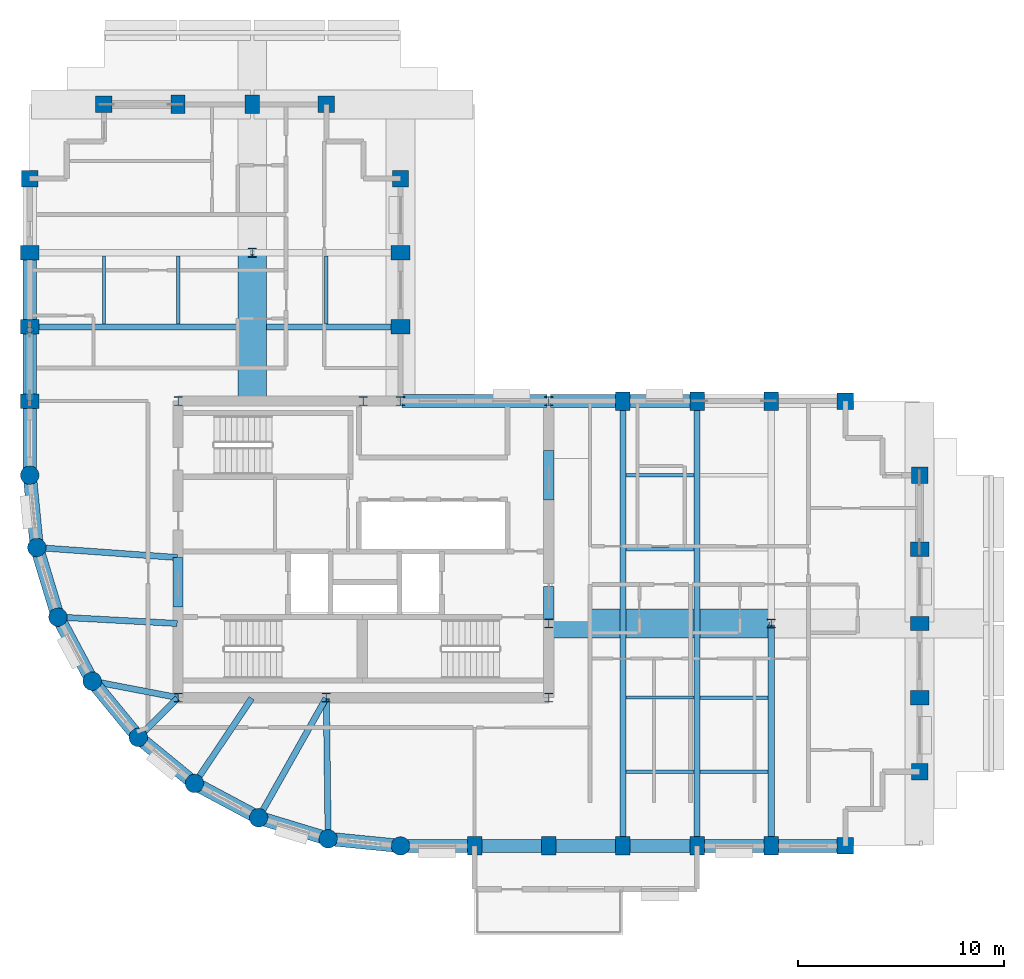
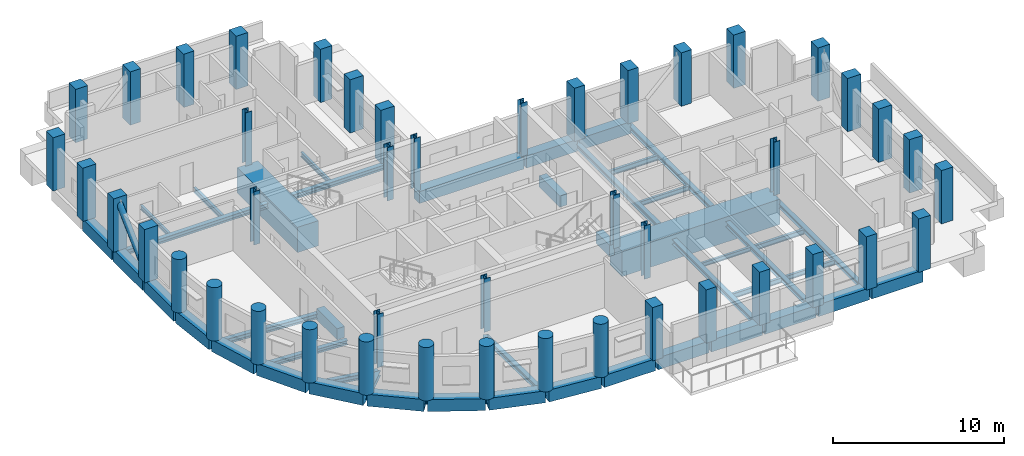
# One storey, part 1 of 10: 45 beams, 45 columns, 1 member.
"""IFC4 building model written with IfcOpenShell, lengths in metres."""

from ifc_helpers import new_model, si_unit, direction, frame, origin, origin_2d, place, context, subcontext, project, spatial, rectangle, circle, hollow_circle, i_section, extrude, material, material_profile, profile_set, type_object, element, save


model = new_model("IFC4")

# Units and contexts
model_context = context("Model", 3, precision=1e-05, world=origin(), true_north=direction((0.0, 1.0)))
body_context = subcontext(model_context, "Body", "Model", "MODEL_VIEW")
ifc_project = project(units=[si_unit("LENGTHUNIT", "METRE"), si_unit("AREAUNIT", "SQUARE_METRE"), si_unit("VOLUMEUNIT", "CUBIC_METRE"), si_unit("PLANEANGLEUNIT", "RADIAN"), si_unit("MASSUNIT", "GRAM", prefix="KILO")], contexts=[model_context])

# Site, building, storey
site_placement = place(None, origin())
site = spatial("IfcSite", under=ifc_project, at=site_placement, CompositionType="ELEMENT")
building_placement = place(site_placement, origin())
building = spatial("IfcBuilding", under=site, at=building_placement, Name="Solnavia Interchange Tower", CompositionType="ELEMENT")
storey_placement = place(building_placement, frame((0.0, 0.0, 174.800048828125)))
storey = spatial("IfcBuildingStorey", under=building, at=storey_placement, Name="L43", CompositionType="ELEMENT", Elevation=174.800048828125)

# Columns
ifc_material_1 = material(Name="Concrete C50/60", Category="concrete")
ifc_material_profile_1 = material_profile(ifc_material_1, rectangle(XDim=0.800048828125, YDim=0.800048828125, at=origin_2d()), Name="RC 800x800")
ifc_profile_set_1 = profile_set([ifc_material_profile_1], Name="Concrete C50/60")
column_type_1 = type_object("IfcColumnType", Name="Col-RC-800x800", PredefinedType="COLUMN", material=ifc_profile_set_1)
for number, where, z_axis, x_axis, name in (
    (1, (7.199951171875, 36.0, 0.0), (0.0, 0.0, 1.0), (0.0, 1.0, 0.0), "COL-L43-05 Tower corner column"),
    (2, (10.800048828125, 39.60009765625, 0.0), (0.0, 0.0, 1.0), (1.0, 0.0, 0.0), "COL-L43-09 Tower corner column"),
    (3, (21.60009765625, 39.60009765625, 0.0), (0.0, 0.0, 1.0), (1.0, 0.0, 0.0), "COL-L43-19 Tower corner column"),
    (4, (25.199951171875, 36.0, 0.0), (0.0, 0.0, 1.0), (0.0, 1.0, 0.0), "COL-L43-26 Tower corner column"),
    (5, (46.800048828125, 3.60009765625, 0.0), (0.0, 0.0, 1.0), (1.0, 0.0, 0.0), "COL-L43-39 Tower corner column"),
    (6, (46.800048828125, 25.199951171875, 0.0), (0.0, 0.0, 1.0), (1.0, 0.0, 0.0), "COL-L43-40 Tower corner column"),
    (7, (50.39990234375, 7.199951171875, 0.0), (0.0, 0.0, 1.0), (1.0, 0.0, 0.0), "COL-L43-41 Tower corner column"),
    (8, (50.39990234375, 21.60009765625, 0.0), (0.0, 0.0, 1.0), (0.0, 1.0, 0.0), "COL-L43-45 Tower corner column"),
):
    element("IfcColumn", number, at=place(storey_placement, frame(where, z_axis=z_axis, x_axis=x_axis)), inside=storey, type_object=column_type_1, Name=name, PredefinedType="COLUMN", context=body_context, shape_type="SweptSolid", body=[
        extrude(rectangle(XDim=0.800048828125, YDim=0.800048828125, at=origin_2d()), origin(), (0.0, 0.0, 1.0), 3.800048828125),
    ])
ifc_material_profile_2 = material_profile(ifc_material_1, rectangle(XDim=0.699951171875, YDim=0.89990234375, at=origin_2d()), Name="RC 900x700")
ifc_profile_set_2 = profile_set([ifc_material_profile_2], Name="Concrete C50/60")
column_type_2 = type_object("IfcColumnType", Name="Col-RC-900x700", PredefinedType="COLUMN", material=ifc_profile_set_2)
for number, where, z_axis, x_axis, name in (
    (9, (7.199951171875, 25.199951171875, 0.0), (0.0, 0.0, 1.0), (0.0, 1.0, 0.0), "COL-L43-02 Tower perim y column"),
    (10, (7.199951171875, 28.800048828125, 0.0), (0.0, 0.0, 1.0), (0.0, 1.0, 0.0), "COL-L43-03 Tower perim y column"),
    (11, (7.199951171875, 32.39990234375, 0.0), (0.0, 0.0, 1.0), (0.0, 1.0, 0.0), "COL-L43-04 Tower perim y column"),
    (12, (14.39990234375, 39.60009765625, 0.0), (0.0, 0.0, 1.0), (1.0, 0.0, 0.0), "COL-L43-13 Tower perim x column"),
    (13, (18.0, 39.60009765625, 0.0), (0.0, 0.0, 1.0), (1.0, 0.0, 0.0), "COL-L43-16 Tower perim x column"),
    (14, (25.199951171875, 28.800048828125, 0.0), (0.0, 0.0, 1.0), (0.0, 1.0, 0.0), "COL-L43-24 Tower perim y column"),
    (15, (25.199951171875, 32.39990234375, 0.0), (0.0, 0.0, 1.0), (0.0, 1.0, 0.0), "COL-L43-25 Tower perim y column"),
    (16, (28.800048828125, 3.60009765625, 0.0), (0.0, 0.0, 1.0), (1.0, 0.0, 0.0), "COL-L43-27 Tower perim x column"),
    (17, (32.39990234375, 3.60009765625, 0.0), (0.0, 0.0, 1.0), (1.0, 0.0, 0.0), "COL-L43-28 Tower perim x column"),
    (18, (36.0, 3.60009765625, 0.0), (0.0, 0.0, 1.0), (1.0, 0.0, 0.0), "COL-L43-32 Tower perim x column"),
    (19, (36.0, 25.199951171875, 0.0), (0.0, 0.0, 1.0), (1.0, 0.0, 0.0), "COL-L43-33 Tower perim x column"),
    (20, (39.60009765625, 3.60009765625, 0.0), (0.0, 0.0, 1.0), (1.0, 0.0, 0.0), "COL-L43-34 Tower perim x column"),
    (21, (39.60009765625, 25.199951171875, 0.0), (0.0, 0.0, 1.0), (1.0, 0.0, 0.0), "COL-L43-35 Tower perim x column"),
    (22, (43.199951171875, 3.60009765625, 0.0), (0.0, 0.0, 1.0), (1.0, 0.0, 0.0), "COL-L43-36 Tower perim x column"),
    (23, (43.199951171875, 25.199951171875, 0.0), (0.0, 0.0, 1.0), (1.0, 0.0, 0.0), "COL-L43-38 Tower perim x column"),
    (24, (50.39990234375, 10.800048828125, 0.0), (0.0, 0.0, 1.0), (0.0, 1.0, 0.0), "COL-L43-42 Tower perim y column"),
    (25, (50.39990234375, 14.39990234375, 0.0), (0.0, 0.0, 1.0), (0.0, 1.0, 0.0), "COL-L43-43 Tower perim y column"),
    (26, (50.39990234375, 18.0, 0.0), (0.0, 0.0, 1.0), (0.0, 1.0, 0.0), "COL-L43-44 Tower perim y column"),
):
    element("IfcColumn", number, at=place(storey_placement, frame(where, z_axis=z_axis, x_axis=x_axis)), inside=storey, type_object=column_type_2, Name=name, PredefinedType="COLUMN", context=body_context, shape_type="SweptSolid", body=[
        extrude(rectangle(XDim=0.699951171875, YDim=0.89990234375, at=origin_2d()), origin(), (0.0, 0.0, 1.0), 3.800048828125),
    ])
ifc_material_profile_3 = material_profile(ifc_material_1, circle(Radius=0.449951171875, at=origin_2d()), Name="RC D900")
ifc_profile_set_3 = profile_set([ifc_material_profile_3], Name="Concrete C50/60")
column_type_3 = type_object("IfcColumnType", Name="Col-RC-D900", PredefinedType="COLUMN", material=ifc_profile_set_3)
for number, where, z_axis, x_axis, name in (
    (27, (7.199951171875, 21.60009765625, 0.0), (0.0, 0.0, 1.0), (1.0, 0.0, 0.0), "COL-L43-01 Tower drum column"),
    (28, (7.5458984375, 18.087890625, 0.0), (0.0, 0.0, 1.0), (1.0, 0.0, 0.0), "COL-L43-06 Tower drum column"),
    (29, (8.570068359375, 14.7119140625, 0.0), (0.0, 0.0, 1.0), (1.0, 0.0, 0.0), "COL-L43-07 Tower drum column"),
    (30, (10.23388671875, 11.60009765625, 0.0), (0.0, 0.0, 1.0), (1.0, 0.0, 0.0), "COL-L43-08 Tower drum column"),
    (31, (12.471923828125, 8.8720703125, 0.0), (0.0, 0.0, 1.0), (1.0, 0.0, 0.0), "COL-L43-10 Tower drum column"),
    (32, (15.199951171875, 6.634033203125, 0.0), (0.0, 0.0, 1.0), (1.0, 0.0, 0.0), "COL-L43-14 Tower drum column"),
    (33, (18.31201171875, 4.969970703125, 0.0), (0.0, 0.0, 1.0), (1.0, 0.0, 0.0), "COL-L43-17 Tower drum column"),
    (34, (21.68798828125, 3.946044921875, 0.0), (0.0, 0.0, 1.0), (1.0, 0.0, 0.0), "COL-L43-20 Tower drum column"),
    (35, (25.199951171875, 3.60009765625, 0.0), (0.0, 0.0, 1.0), (1.0, 0.0, 0.0), "COL-L43-22 Tower drum column"),
):
    element("IfcColumn", number, at=place(storey_placement, frame(where, z_axis=z_axis, x_axis=x_axis)), inside=storey, type_object=column_type_3, Name=name, PredefinedType="COLUMN", context=body_context, shape_type="SweptSolid", body=[
        extrude(circle(Radius=0.449951171875, at=origin_2d()), origin(), (0.0, 0.0, 1.0), 3.800048828125),
    ])
ifc_material_2 = material(Name="Steel S355", Category="steel")
ifc_material_profile_4 = material_profile(ifc_material_2, i_section(OverallWidth=0.416015625, OverallDepth=0.44189453125, WebThickness=0.02490234375, FlangeThickness=0.041015625, FilletRadius=0.014892578125, at=origin_2d()), Name="HD 400x382")
ifc_profile_set_4 = profile_set([ifc_material_profile_4], Name="Steel S355")
column_type_4 = type_object("IfcColumnType", Name="Col-Steel-HD400x382", PredefinedType="COLUMN", material=ifc_profile_set_4)
for number, where, z_axis, x_axis, name in (
    (36, (14.39990234375, 10.800048828125, 0.0), (0.0, 0.0, 1.0), (1.0, 0.0, 0.0), "COL-L43-11 Tower interior column"),
    (37, (14.39990234375, 25.199951171875, 0.0), (0.0, 0.0, 1.0), (1.0, 0.0, 0.0), "COL-L43-12 Tower interior column"),
    (38, (18.0, 32.39990234375, 0.0), (0.0, 0.0, 1.0), (1.0, 0.0, 0.0), "COL-L43-15 Tower interior column"),
    (39, (21.60009765625, 10.800048828125, 0.0), (0.0, 0.0, 1.0), (1.0, 0.0, 0.0), "COL-L43-18 Tower interior column"),
    (40, (23.39990234375, 25.199951171875, 0.0), (0.0, 0.0, 1.0), (1.0, 0.0, 0.0), "COL-L43-21 Tower interior column"),
    (41, (25.199951171875, 25.199951171875, 0.0), (0.0, 0.0, 1.0), (1.0, 0.0, 0.0), "COL-L43-23 Tower interior column"),
    (42, (32.39990234375, 10.800048828125, 0.0), (0.0, 0.0, 1.0), (1.0, 0.0, 0.0), "COL-L43-29 Tower interior column"),
    (43, (32.39990234375, 14.39990234375, 0.0), (0.0, 0.0, 1.0), (1.0, 0.0, 0.0), "COL-L43-30 Tower interior column"),
    (44, (32.39990234375, 25.199951171875, 0.0), (0.0, 0.0, 1.0), (1.0, 0.0, 0.0), "COL-L43-31 Tower interior column"),
    (45, (43.199951171875, 14.39990234375, 0.0), (0.0, 0.0, 1.0), (1.0, 0.0, 0.0), "COL-L43-37 Tower interior column"),
):
    element("IfcColumn", number, at=place(storey_placement, frame(where, z_axis=z_axis, x_axis=x_axis)), inside=storey, type_object=column_type_4, Name=name, PredefinedType="COLUMN", context=body_context, shape_type="SweptSolid", body=[
        extrude(i_section(OverallWidth=0.416015625, OverallDepth=0.44189453125, WebThickness=0.02490234375, FlangeThickness=0.041015625, FilletRadius=0.014892578125, at=origin_2d()), origin(), (0.0, 0.0, 1.0), 3.800048828125),
    ])

# Beams
ifc_material_profile_5 = material_profile(ifc_material_1, rectangle(XDim=0.5, YDim=0.800048828125, at=origin_2d()), Name="RC 500x800")
ifc_profile_set_5 = profile_set([ifc_material_profile_5], Name="Concrete C50/60")
beam_type_1 = type_object("IfcBeamType", Name="Beam-Coupling-RC500x800", PredefinedType="LINTEL", material=ifc_profile_set_5)
beam_1_placement = place(storey_placement, frame((14.39990234375, 15.199951171875, -0.400146484375), z_axis=(0.0, 1.0, 0.0), x_axis=(-1.0, 0.0, 0.0)))
element("IfcBeam", 46, at=beam_1_placement, inside=storey, type_object=beam_type_1, Name="CPB-L43-W1 Core coupling lintel beam", PredefinedType="LINTEL", context=body_context, shape_type="SweptSolid", body=[
    extrude(rectangle(XDim=0.5, YDim=0.800048828125, at=origin_2d()), origin(), (0.0, 0.0, 1.0), 2.400146484375),
])
beam_2_placement = place(storey_placement, frame((32.39990234375, 14.60009765625, -0.400146484375), z_axis=(0.0, 1.0, 0.0), x_axis=(-1.0, 0.0, 0.0)))
element("IfcBeam", 47, at=beam_2_placement, inside=storey, type_object=beam_type_1, Name="CPB-L43-E1 Core coupling lintel beam", PredefinedType="LINTEL", context=body_context, shape_type="SweptSolid", body=[
    extrude(rectangle(XDim=0.5, YDim=0.800048828125, at=origin_2d()), origin(), (0.0, 0.0, 1.0), 1.599853515625),
])
beam_3_placement = place(storey_placement, frame((32.39990234375, 20.39990234375, -0.400146484375), z_axis=(0.0, 1.0, 0.0), x_axis=(-1.0, 0.0, 0.0)))
element("IfcBeam", 48, at=beam_3_placement, inside=storey, type_object=beam_type_1, Name="CPB-L43-E2 Core coupling lintel beam", PredefinedType="LINTEL", context=body_context, shape_type="SweptSolid", body=[
    extrude(rectangle(XDim=0.5, YDim=0.800048828125, at=origin_2d()), origin(), (0.0, 0.0, 1.0), 2.400146484375),
])
ifc_material_3 = material(Name="Steel S460", Category="steel")
ifc_material_profile_6 = material_profile(ifc_material_3, i_section(OverallWidth=0.300048828125, OverallDepth=0.360107421875, WebThickness=0.012451171875, FlangeThickness=0.0224609375, FilletRadius=0.027099609375, at=origin_2d()), Name="HEB 360")
ifc_profile_set_6 = profile_set([ifc_material_profile_6], Name="Steel S460")
beam_type_2 = type_object("IfcBeamType", Name="Beam-Girder-HEB360", PredefinedType="BEAM", material=ifc_profile_set_6)
beam_4_placement = place(storey_placement, frame((36.0, 3.679931640625, -0.5), z_axis=(0.0, 1.0, 0.0), x_axis=(-1.0, 0.0, 0.0)))
element("IfcBeam", 49, at=beam_4_placement, inside=storey, type_object=beam_type_2, Name="GRD-L43-EW01 East wing primary floor girder", PredefinedType="BEAM", context=body_context, shape_type="SweptSolid", body=[
    extrude(i_section(OverallWidth=0.300048828125, OverallDepth=0.360107421875, WebThickness=0.012451171875, FlangeThickness=0.0224609375, FilletRadius=0.027099609375, at=origin_2d()), origin(), (0.0, 0.0, 1.0), 21.440185546875),
])
beam_5_placement = place(storey_placement, frame((10.3125, 11.5849609375, -0.5), z_axis=(0.982057527796, -0.188581579428, 0.0), x_axis=(0.188581579428, 0.982057527796, 0.0)))
element("IfcBeam", 50, at=beam_5_placement, inside=storey, type_object=beam_type_2, Name="GRD-L43-DR10 Drum radial floor girder", PredefinedType="BEAM", context=body_context, shape_type="SweptSolid", body=[
    extrude(i_section(OverallWidth=0.300048828125, OverallDepth=0.360107421875, WebThickness=0.012451171875, FlangeThickness=0.0224609375, FilletRadius=0.027099609375, at=origin_2d()), origin(), (0.0, 0.0, 1.0), 4.1220703125),
])
beam_6_placement = place(storey_placement, frame((18.351318359375, 5.039794921875, -0.5), z_axis=(0.491243158486, 0.871022479182, 0.0), x_axis=(-0.871022479182, 0.491243158486, 0.0)))
element("IfcBeam", 51, at=beam_6_placement, inside=storey, type_object=beam_type_2, Name="GRD-L43-DR13 Drum radial floor girder", PredefinedType="BEAM", context=body_context, shape_type="SweptSolid", body=[
    extrude(i_section(OverallWidth=0.300048828125, OverallDepth=0.360107421875, WebThickness=0.012451171875, FlangeThickness=0.0224609375, FilletRadius=0.027099609375, at=origin_2d()), origin(), (0.0, 0.0, 1.0), 6.5732421875),
])
ifc_material_profile_7 = material_profile(ifc_material_2, i_section(OverallWidth=0.14990234375, OverallDepth=0.300048828125, WebThickness=0.007080078125, FlangeThickness=0.0107421875, FilletRadius=0.014892578125, at=origin_2d()), Name="IPE 300")
ifc_profile_set_7 = profile_set([ifc_material_profile_7], Name="Steel S355")
beam_type_3 = type_object("IfcBeamType", Name="Beam-Joist-IPE300", PredefinedType="JOIST", material=ifc_profile_set_7)
for number, where, z_axis, x_axis, name in (
    (52, (36.14990234375, 10.800048828125, -0.469970703125), (1.0, 0.0, 0.0), (0.0, 1.0, 0.0), "JST-L43-E03 East wing secondary joist"),
    (53, (10.800048828125, 28.949951171875, -0.469970703125), (0.0, 1.0, 0.0), (-1.0, 0.0, 0.0), "JST-L43-N09 North wing secondary joist"),
):
    element("IfcBeam", number, at=place(storey_placement, frame(where, z_axis=z_axis, x_axis=x_axis)), inside=storey, type_object=beam_type_3, Name=name, PredefinedType="JOIST", context=body_context, shape_type="SweptSolid", body=[
        extrude(i_section(OverallWidth=0.14990234375, OverallDepth=0.300048828125, WebThickness=0.007080078125, FlangeThickness=0.0107421875, FilletRadius=0.014892578125, at=origin_2d()), origin(), (0.0, 0.0, 1.0), 3.300048828125),
    ])
ifc_material_profile_8 = material_profile(ifc_material_2, i_section(OverallWidth=0.159912109375, OverallDepth=0.330078125, WebThickness=0.007568359375, FlangeThickness=0.011474609375, FilletRadius=0.01806640625, at=origin_2d()), Name="IPE 330")
ifc_profile_set_8 = profile_set([ifc_material_profile_8], Name="Steel S355")
beam_type_4 = type_object("IfcBeamType", Name="Beam-Joist-IPE330", PredefinedType="JOIST", material=ifc_profile_set_8)
for number, where, z_axis, x_axis, name in (
    (54, (39.75, 7.199951171875, -0.485107421875), (1.0, 0.0, 0.0), (0.0, 1.0, 0.0), "JST-L43-E02 East wing secondary joist"),
    (55, (36.14990234375, 18.0, -0.485107421875), (1.0, 0.0, 0.0), (0.0, 1.0, 0.0), "JST-L43-E05 East wing secondary joist"),
    (56, (21.60009765625, 28.949951171875, -0.485107421875), (0.0, 1.0, 0.0), (-1.0, 0.0, 0.0), "JST-L43-N11 North wing secondary joist"),
):
    element("IfcBeam", number, at=place(storey_placement, frame(where, z_axis=z_axis, x_axis=x_axis)), inside=storey, type_object=beam_type_4, Name=name, PredefinedType="JOIST", context=body_context, shape_type="SweptSolid", body=[
        extrude(i_section(OverallWidth=0.159912109375, OverallDepth=0.330078125, WebThickness=0.007568359375, FlangeThickness=0.011474609375, FilletRadius=0.01806640625, at=origin_2d()), origin(), (0.0, 0.0, 1.0), 3.300048828125),
    ])
ifc_material_profile_9 = material_profile(ifc_material_2, i_section(OverallWidth=0.169921875, OverallDepth=0.360107421875, WebThickness=0.008056640625, FlangeThickness=0.0126953125, FilletRadius=0.01806640625, at=origin_2d()), Name="IPE 360")
ifc_profile_set_9 = profile_set([ifc_material_profile_9], Name="Steel S355")
beam_type_5 = type_object("IfcBeamType", Name="Beam-Joist-IPE360", PredefinedType="JOIST", material=ifc_profile_set_9)
for number, where, z_axis, x_axis, name in (
    (57, (36.14990234375, 7.199951171875, -0.5), (1.0, 0.0, 0.0), (0.0, 1.0, 0.0), "JST-L43-E01 East wing secondary joist"),
    (58, (39.75, 10.800048828125, -0.5), (1.0, 0.0, 0.0), (0.0, 1.0, 0.0), "JST-L43-E04 East wing secondary joist"),
    (59, (36.14990234375, 21.60009765625, -0.5), (1.0, 0.0, 0.0), (0.0, 1.0, 0.0), "JST-L43-E07 East wing secondary joist"),
    (60, (14.39990234375, 28.949951171875, -0.5), (0.0, 1.0, 0.0), (-1.0, 0.0, 0.0), "JST-L43-N10 North wing secondary joist"),
):
    element("IfcBeam", number, at=place(storey_placement, frame(where, z_axis=z_axis, x_axis=x_axis)), inside=storey, type_object=beam_type_5, Name=name, PredefinedType="JOIST", context=body_context, shape_type="SweptSolid", body=[
        extrude(i_section(OverallWidth=0.169921875, OverallDepth=0.360107421875, WebThickness=0.008056640625, FlangeThickness=0.0126953125, FilletRadius=0.01806640625, at=origin_2d()), origin(), (0.0, 0.0, 1.0), 3.300048828125),
    ])
ifc_material_profile_10 = material_profile(ifc_material_2, i_section(OverallWidth=0.300048828125, OverallDepth=0.31005859375, WebThickness=0.009033203125, FlangeThickness=0.015380859375, FilletRadius=0.027099609375, at=origin_2d()), Name="HEA 320")
ifc_profile_set_10 = profile_set([ifc_material_profile_10], Name="Steel S355")
beam_type_6 = type_object("IfcBeamType", Name="Beam-Primary-HEA320", PredefinedType="BEAM", material=ifc_profile_set_10)
beam_7_placement = place(storey_placement, frame((43.199951171875, 3.679931640625, -0.47509765625), z_axis=(0.0, 1.0, 0.0), x_axis=(-1.0, 0.0, 0.0)))
element("IfcBeam", 61, at=beam_7_placement, inside=storey, type_object=beam_type_6, Name="GRD-L43-EW03 East wing primary floor girder", PredefinedType="BEAM", context=body_context, shape_type="SweptSolid", body=[
    extrude(i_section(OverallWidth=0.300048828125, OverallDepth=0.31005859375, WebThickness=0.009033203125, FlangeThickness=0.015380859375, FilletRadius=0.027099609375, at=origin_2d()), origin(), (0.0, 0.0, 1.0), 10.64013671875),
])
beam_8_placement = place(storey_placement, frame((8.64990234375, 14.707763671875, -0.47509765625), z_axis=(0.998570371303, -0.053452909696, 0.0), x_axis=(0.053452909696, 0.998570371303, 0.0)))
element("IfcBeam", 62, at=beam_8_placement, inside=storey, type_object=beam_type_6, Name="GRD-L43-DR09 Drum radial floor girder", PredefinedType="BEAM", context=body_context, shape_type="SweptSolid", body=[
    extrude(i_section(OverallWidth=0.300048828125, OverallDepth=0.31005859375, WebThickness=0.009033203125, FlangeThickness=0.015380859375, FilletRadius=0.027099609375, at=origin_2d()), origin(), (0.0, 0.0, 1.0), 5.71826171875),
])
beam_9_placement = place(storey_placement, frame((15.24462890625, 6.700439453125, -0.47509765625), z_axis=(0.557835474219, 0.829951555033, 0.0), x_axis=(-0.829951555033, 0.557835474219, 0.0)))
element("IfcBeam", 63, at=beam_9_placement, inside=storey, type_object=beam_type_6, Name="GRD-L43-DR12 Drum radial floor girder", PredefinedType="BEAM", context=body_context, shape_type="SweptSolid", body=[
    extrude(i_section(OverallWidth=0.300048828125, OverallDepth=0.31005859375, WebThickness=0.009033203125, FlangeThickness=0.015380859375, FilletRadius=0.027099609375, at=origin_2d()), origin(), (0.0, 0.0, 1.0), 4.899658203125),
])
ifc_material_profile_11 = material_profile(ifc_material_2, i_section(OverallWidth=0.300048828125, OverallDepth=0.35009765625, WebThickness=0.010009765625, FlangeThickness=0.017578125, FilletRadius=0.027099609375, at=origin_2d()), Name="HEA 360")
ifc_profile_set_11 = profile_set([ifc_material_profile_11], Name="Steel S355")
beam_type_7 = type_object("IfcBeamType", Name="Beam-Primary-HEA360", PredefinedType="BEAM", material=ifc_profile_set_11)
beam_10_placement = place(storey_placement, frame((39.60009765625, 3.679931640625, -0.4951171875), z_axis=(0.0, 1.0, 0.0), x_axis=(-1.0, 0.0, 0.0)))
element("IfcBeam", 64, at=beam_10_placement, inside=storey, type_object=beam_type_7, Name="GRD-L43-EW02 East wing primary floor girder", PredefinedType="BEAM", context=body_context, shape_type="SweptSolid", body=[
    extrude(i_section(OverallWidth=0.300048828125, OverallDepth=0.35009765625, WebThickness=0.010009765625, FlangeThickness=0.017578125, FilletRadius=0.027099609375, at=origin_2d()), origin(), (0.0, 0.0, 1.0), 21.440185546875),
])
beam_11_placement = place(storey_placement, frame((7.280029296875, 28.800048828125, -0.4951171875), z_axis=(1.0, 0.0, 0.0), x_axis=(0.0, 1.0, 0.0)))
element("IfcBeam", 65, at=beam_11_placement, inside=storey, type_object=beam_type_7, Name="GRD-L43-NW05 North wing primary floor girder", PredefinedType="BEAM", context=body_context, shape_type="SweptSolid", body=[
    extrude(i_section(OverallWidth=0.300048828125, OverallDepth=0.35009765625, WebThickness=0.010009765625, FlangeThickness=0.017578125, FilletRadius=0.027099609375, at=origin_2d()), origin(), (0.0, 0.0, 1.0), 17.840087890625),
])
beam_12_placement = place(storey_placement, frame((7.625732421875, 18.082275390625, -0.4951171875), z_axis=(0.99747482749, -0.071020902015, 0.0), x_axis=(0.071020902015, 0.99747482749, 0.0)))
element("IfcBeam", 66, at=beam_12_placement, inside=storey, type_object=beam_type_7, Name="GRD-L43-DR08 Drum radial floor girder", PredefinedType="BEAM", context=body_context, shape_type="SweptSolid", body=[
    extrude(i_section(OverallWidth=0.300048828125, OverallDepth=0.35009765625, WebThickness=0.010009765625, FlangeThickness=0.017578125, FilletRadius=0.027099609375, at=origin_2d()), origin(), (0.0, 0.0, 1.0), 6.75146484375),
])
beam_13_placement = place(storey_placement, frame((12.528564453125, 8.9287109375, -0.4951171875), z_axis=(0.707106781187, 0.707106781187, 0.0), x_axis=(-0.707106781187, 0.707106781187, 0.0)))
element("IfcBeam", 67, at=beam_13_placement, inside=storey, type_object=beam_type_7, Name="GRD-L43-DR11 Drum radial floor girder", PredefinedType="BEAM", context=body_context, shape_type="SweptSolid", body=[
    extrude(i_section(OverallWidth=0.300048828125, OverallDepth=0.35009765625, WebThickness=0.010009765625, FlangeThickness=0.017578125, FilletRadius=0.027099609375, at=origin_2d()), origin(), (0.0, 0.0, 1.0), 2.6064453125),
])
beam_14_placement = place(storey_placement, frame((21.68701171875, 4.02587890625, -0.4951171875), z_axis=(-0.01283293513, 0.999917654498, 0.0), x_axis=(-0.999917654498, -0.01283293513, 0.0)))
element("IfcBeam", 68, at=beam_14_placement, inside=storey, type_object=beam_type_7, Name="GRD-L43-DR14 Drum radial floor girder", PredefinedType="BEAM", context=body_context, shape_type="SweptSolid", body=[
    extrude(i_section(OverallWidth=0.300048828125, OverallDepth=0.35009765625, WebThickness=0.010009765625, FlangeThickness=0.017578125, FilletRadius=0.027099609375, at=origin_2d()), origin(), (0.0, 0.0, 1.0), 6.734619140625),
])
ifc_material_profile_12 = material_profile(ifc_material_1, rectangle(XDim=0.64990234375, YDim=0.85009765625, at=origin_2d()), Name="RC 650x850")
ifc_profile_set_12 = profile_set([ifc_material_profile_12], Name="Concrete C50/60")
beam_type_8 = type_object("IfcBeamType", Name="Beam-Spandrel-RC650x850", PredefinedType="SPANDREL", material=ifc_profile_set_12)
beam_15_placement = place(storey_placement, frame((7.207763671875, 21.5205078125, -0.425048828125), z_axis=(0.098040038117, -0.995182471171, 0.0), x_axis=(0.995182471171, 0.098040038117, 0.0)))
element("IfcBeam", 69, at=beam_15_placement, inside=storey, type_object=beam_type_8, Name="SPB-L43-01 Framed-tube perimeter spandrel beam", PredefinedType="SPANDREL", context=body_context, shape_type="SweptSolid", body=[
    extrude(rectangle(XDim=0.64990234375, YDim=0.85009765625, at=origin_2d()), origin(), (0.0, 0.0, 1.0), 3.369140625),
])
beam_16_placement = place(storey_placement, frame((7.569091796875, 18.011474609375, -0.425048828125), z_axis=(0.290319223646, -0.956929855518, 0.0), x_axis=(0.956929855518, 0.290319223646, 0.0)))
element("IfcBeam", 70, at=beam_16_placement, inside=storey, type_object=beam_type_8, Name="SPB-L43-02 Framed-tube perimeter spandrel beam", PredefinedType="SPANDREL", context=body_context, shape_type="SweptSolid", body=[
    extrude(rectangle(XDim=0.64990234375, YDim=0.85009765625, at=origin_2d()), origin(), (0.0, 0.0, 1.0), 3.367919921875),
])
beam_17_placement = place(storey_placement, frame((8.607666015625, 14.6416015625, -0.425048828125), z_axis=(0.471509422952, -0.881861023102, 0.0), x_axis=(0.881861023102, 0.471509422952, 0.0)))
element("IfcBeam", 71, at=beam_17_placement, inside=storey, type_object=beam_type_8, Name="SPB-L43-03 Framed-tube perimeter spandrel beam", PredefinedType="SPANDREL", context=body_context, shape_type="SweptSolid", body=[
    extrude(rectangle(XDim=0.64990234375, YDim=0.85009765625, at=origin_2d()), origin(), (0.0, 0.0, 1.0), 3.369140625),
])
for number, where, z_axis, x_axis, name in (
    (72, (10.28466796875, 11.5380859375, -0.425048828125), (0.634298841675, -0.773087950656, 0.0), (0.773087950656, 0.634298841675, 0.0), "SPB-L43-04 Framed-tube perimeter spandrel beam"),
    (73, (12.53369140625, 8.8212890625, -0.425048828125), (0.773152644452, -0.634219984214, 0.0), (0.634219984214, 0.773152644452, 0.0), "SPB-L43-05 Framed-tube perimeter spandrel beam"),
):
    element("IfcBeam", number, at=place(storey_placement, frame(where, z_axis=z_axis, x_axis=x_axis)), inside=storey, type_object=beam_type_8, Name=name, PredefinedType="SPANDREL", context=body_context, shape_type="SweptSolid", body=[
        extrude(rectangle(XDim=0.64990234375, YDim=0.85009765625, at=origin_2d()), origin(), (0.0, 0.0, 1.0), 3.36865234375),
    ])
beam_18_placement = place(storey_placement, frame((15.2705078125, 6.59619140625, -0.425048828125), z_axis=(0.881875044348, -0.47148319817, 0.0), x_axis=(0.47148319817, 0.881875044348, 0.0)))
element("IfcBeam", 74, at=beam_18_placement, inside=storey, type_object=beam_type_8, Name="SPB-L43-06 Framed-tube perimeter spandrel beam", PredefinedType="SPANDREL", context=body_context, shape_type="SweptSolid", body=[
    extrude(rectangle(XDim=0.64990234375, YDim=0.85009765625, at=origin_2d()), origin(), (0.0, 0.0, 1.0), 3.368896484375),
])
beam_19_placement = place(storey_placement, frame((18.388671875, 4.94677734375, -0.425048828125), z_axis=(0.956943884494, -0.290272978297, 0.0), x_axis=(0.290272978297, 0.956943884494, 0.0)))
element("IfcBeam", 75, at=beam_19_placement, inside=storey, type_object=beam_type_8, Name="SPB-L43-07 Framed-tube perimeter spandrel beam", PredefinedType="SPANDREL", context=body_context, shape_type="SweptSolid", body=[
    extrude(rectangle(XDim=0.64990234375, YDim=0.85009765625, at=origin_2d()), origin(), (0.0, 0.0, 1.0), 3.36767578125),
])
beam_20_placement = place(storey_placement, frame((21.767578125, 3.938232421875, -0.425048828125), z_axis=(0.995181774609, -0.098047108501, 0.0), x_axis=(0.098047108501, 0.995181774609, 0.0)))
element("IfcBeam", 76, at=beam_20_placement, inside=storey, type_object=beam_type_8, Name="SPB-L43-08 Framed-tube perimeter spandrel beam", PredefinedType="SPANDREL", context=body_context, shape_type="SweptSolid", body=[
    extrude(rectangle(XDim=0.64990234375, YDim=0.85009765625, at=origin_2d()), origin(), (0.0, 0.0, 1.0), 3.368896484375),
])
beam_21_placement = place(storey_placement, frame((25.280029296875, 3.60009765625, -0.425048828125), z_axis=(1.0, 0.0, 0.0), x_axis=(0.0, 1.0, 0.0)))
element("IfcBeam", 77, at=beam_21_placement, inside=storey, type_object=beam_type_8, Name="SPB-L43-09 Framed-tube perimeter spandrel beam", PredefinedType="SPANDREL", context=body_context, shape_type="SweptSolid", body=[
    extrude(rectangle(XDim=0.64990234375, YDim=0.85009765625, at=origin_2d()), origin(), (0.0, 0.0, 1.0), 3.43994140625),
])
beam_22_placement = place(storey_placement, frame((28.8798828125, 3.60009765625, -0.425048828125), z_axis=(1.0, 0.0, 0.0), x_axis=(0.0, 1.0, 0.0)))
element("IfcBeam", 78, at=beam_22_placement, inside=storey, type_object=beam_type_8, Name="SPB-L43-10 Framed-tube perimeter spandrel beam", PredefinedType="SPANDREL", context=body_context, shape_type="SweptSolid", body=[
    extrude(rectangle(XDim=0.64990234375, YDim=0.85009765625, at=origin_2d()), origin(), (0.0, 0.0, 1.0), 3.440185546875),
])
for number, where, z_axis, x_axis, name in (
    (79, (32.47998046875, 3.60009765625, -0.425048828125), (1.0, 0.0, 0.0), (0.0, 1.0, 0.0), "SPB-L43-11 Framed-tube perimeter spandrel beam"),
    (80, (36.080078125, 3.60009765625, -0.425048828125), (1.0, 0.0, 0.0), (0.0, 1.0, 0.0), "SPB-L43-12 Framed-tube perimeter spandrel beam"),
):
    element("IfcBeam", number, at=place(storey_placement, frame(where, z_axis=z_axis, x_axis=x_axis)), inside=storey, type_object=beam_type_8, Name=name, PredefinedType="SPANDREL", context=body_context, shape_type="SweptSolid", body=[
        extrude(rectangle(XDim=0.64990234375, YDim=0.85009765625, at=origin_2d()), origin(), (0.0, 0.0, 1.0), 3.43994140625),
    ])
beam_23_placement = place(storey_placement, frame((39.679931640625, 3.60009765625, -0.425048828125), z_axis=(1.0, 0.0, 0.0), x_axis=(0.0, 1.0, 0.0)))
element("IfcBeam", 81, at=beam_23_placement, inside=storey, type_object=beam_type_8, Name="SPB-L43-13 Framed-tube perimeter spandrel beam", PredefinedType="SPANDREL", context=body_context, shape_type="SweptSolid", body=[
    extrude(rectangle(XDim=0.64990234375, YDim=0.85009765625, at=origin_2d()), origin(), (0.0, 0.0, 1.0), 3.440185546875),
])
for number, where, z_axis, x_axis, name in (
    (82, (43.280029296875, 3.60009765625, -0.425048828125), (1.0, 0.0, 0.0), (0.0, 1.0, 0.0), "SPB-L43-14 Framed-tube perimeter spandrel beam"),
    (83, (39.52001953125, 25.199951171875, -0.425048828125), (-1.0, 0.0, 0.0), (0.0, -1.0, 0.0), "SPB-L43-17 Framed-tube perimeter spandrel beam"),
    (84, (35.919921875, 25.199951171875, -0.425048828125), (-1.0, 0.0, 0.0), (0.0, -1.0, 0.0), "SPB-L43-18 Framed-tube perimeter spandrel beam"),
):
    element("IfcBeam", number, at=place(storey_placement, frame(where, z_axis=z_axis, x_axis=x_axis)), inside=storey, type_object=beam_type_8, Name=name, PredefinedType="SPANDREL", context=body_context, shape_type="SweptSolid", body=[
        extrude(rectangle(XDim=0.64990234375, YDim=0.85009765625, at=origin_2d()), origin(), (0.0, 0.0, 1.0), 3.43994140625),
    ])
beam_24_placement = place(storey_placement, frame((32.320068359375, 25.199951171875, -0.425048828125), z_axis=(-1.0, 0.0, 0.0), x_axis=(0.0, -1.0, 0.0)))
element("IfcBeam", 85, at=beam_24_placement, inside=storey, type_object=beam_type_8, Name="SPB-L43-19 Framed-tube perimeter spandrel beam", PredefinedType="SPANDREL", context=body_context, shape_type="SweptSolid", body=[
    extrude(rectangle(XDim=0.64990234375, YDim=0.85009765625, at=origin_2d()), origin(), (0.0, 0.0, 1.0), 7.0400390625),
])
beam_25_placement = place(storey_placement, frame((7.199951171875, 32.320068359375, -0.425048828125), z_axis=(0.0, -1.0, 0.0), x_axis=(1.0, 0.0, 0.0)))
element("IfcBeam", 86, at=beam_25_placement, inside=storey, type_object=beam_type_8, Name="SPB-L43-21 Framed-tube perimeter spandrel beam", PredefinedType="SPANDREL", context=body_context, shape_type="SweptSolid", body=[
    extrude(rectangle(XDim=0.64990234375, YDim=0.85009765625, at=origin_2d()), origin(), (0.0, 0.0, 1.0), 3.440185546875),
])
beam_26_placement = place(storey_placement, frame((7.199951171875, 28.719970703125, -0.425048828125), z_axis=(0.0, -1.0, 0.0), x_axis=(1.0, 0.0, 0.0)))
element("IfcBeam", 87, at=beam_26_placement, inside=storey, type_object=beam_type_8, Name="SPB-L43-22 Framed-tube perimeter spandrel beam", PredefinedType="SPANDREL", context=body_context, shape_type="SweptSolid", body=[
    extrude(rectangle(XDim=0.64990234375, YDim=0.85009765625, at=origin_2d()), origin(), (0.0, 0.0, 1.0), 3.43994140625),
])
beam_27_placement = place(storey_placement, frame((7.199951171875, 25.1201171875, -0.425048828125), z_axis=(0.0, -1.0, 0.0), x_axis=(1.0, 0.0, 0.0)))
element("IfcBeam", 88, at=beam_27_placement, inside=storey, type_object=beam_type_8, Name="SPB-L43-23 Framed-tube perimeter spandrel beam", PredefinedType="SPANDREL", context=body_context, shape_type="SweptSolid", body=[
    extrude(rectangle(XDim=0.64990234375, YDim=0.85009765625, at=origin_2d()), origin(), (0.0, 0.0, 1.0), 3.440185546875),
])
ifc_material_4 = material(Name="Concrete C60/75", Category="concrete")
ifc_material_profile_13 = material_profile(ifc_material_4, rectangle(XDim=1.39990234375, YDim=1.800048828125, at=origin_2d()), Name="RC 1400x1800")
ifc_profile_set_13 = profile_set([ifc_material_profile_13], Name="Concrete C60/75")
beam_type_9 = type_object("IfcBeamType", Name="Beam-Transfer-RC1400x1800", PredefinedType="BEAM", material=ifc_profile_set_13)
beam_28_placement = place(storey_placement, frame((32.47998046875, 14.39990234375, -0.900146484375), z_axis=(1.0, 0.0, 0.0), x_axis=(0.0, 1.0, 0.0)))
element("IfcBeam", 89, at=beam_28_placement, inside=storey, type_object=beam_type_9, Name="TRB-L43-01 East setback spine transfer girder", PredefinedType="BEAM", context=body_context, shape_type="SweptSolid", body=[
    extrude(rectangle(XDim=1.39990234375, YDim=1.800048828125, at=origin_2d()), origin(), (0.0, 0.0, 1.0), 10.64013671875),
])
beam_29_placement = place(storey_placement, frame((18.0, 25.280029296875, -0.900146484375), z_axis=(0.0, 1.0, 0.0), x_axis=(-1.0, 0.0, 0.0)))
element("IfcBeam", 90, at=beam_29_placement, inside=storey, type_object=beam_type_9, Name="TRB-L43-09 North setback spine transfer girder", PredefinedType="BEAM", context=body_context, shape_type="SweptSolid", body=[
    extrude(rectangle(XDim=1.39990234375, YDim=1.800048828125, at=origin_2d()), origin(), (0.0, 0.0, 1.0), 7.0400390625),
])

# Member
ifc_material_profile_14 = material_profile(ifc_material_3, hollow_circle(Radius=0.203125, WallThickness=0.02001953125, at=origin_2d()), Name="CHS 406.4x20")
ifc_profile_set_14 = profile_set([ifc_material_profile_14], Name="Steel S460")
member_type = type_object("IfcMemberType", Name="Brace-Perim-CHS406", PredefinedType="BRACE", material=ifc_profile_set_14)
member_placement = place(storey_placement, frame((7.199951171875, 25.340087890625, 0.179931640625), z_axis=(0.0, 0.721071463745, 0.69286069608), x_axis=(-1.0, 0.0, 0.0)))
element("IfcMember", 91, at=member_placement, inside=storey, type_object=member_type, Name="BRC-L43-01 Perimeter tube diagonal brace", PredefinedType="BRACE", context=body_context, shape_type="SweptSolid", body=[
    extrude(hollow_circle(Radius=0.203125, WallThickness=0.02001953125, at=origin_2d()), origin(), (0.0, 0.0, 1.0), 4.60400390625),
])

save(model, "model.ifc")
